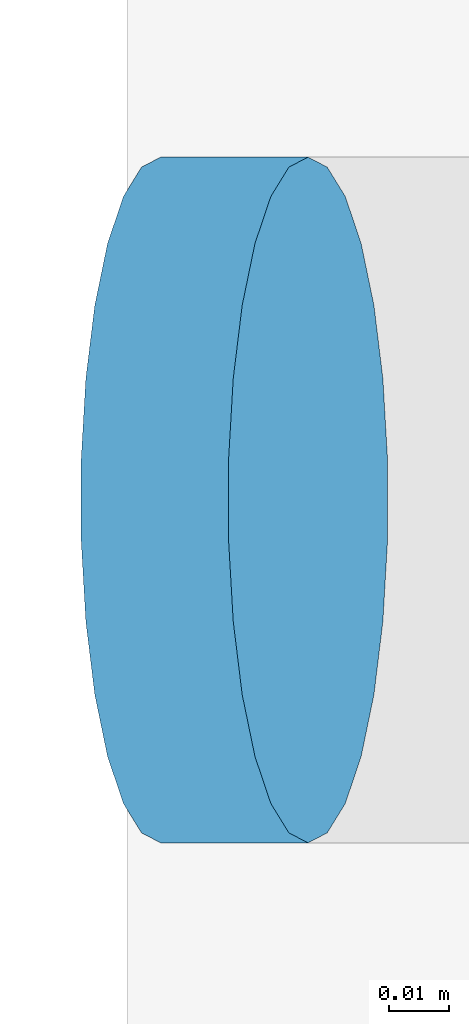
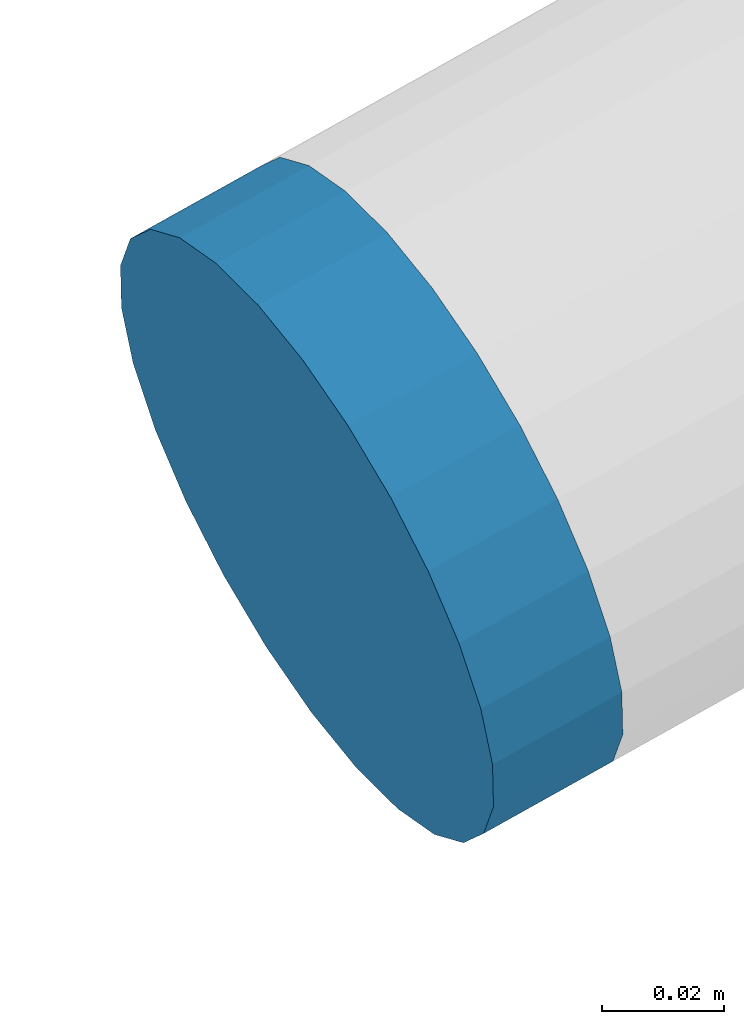
# One storey, part 62 of 71: 1 discrete accessory.
"""IFC4 building model written with IfcOpenShell, lengths in metres."""

from ifc_helpers import new_model, si_unit, derived_unit, direction, frame, origin, origin_2d, place, context, subcontext, project, spatial, circle, extrude, material, type_object, element, save


model = new_model("IFC4")

# Units and contexts
model_context = context("Model", 3, precision=1e-05, world=origin(), true_north=direction((0.0, 1.0)))
body_context = subcontext(model_context, "Body", "Model", "MODEL_VIEW")
ifc_project = project(units=[si_unit("LENGTHUNIT", "METRE"), si_unit("AREAUNIT", "SQUARE_METRE"), si_unit("VOLUMEUNIT", "CUBIC_METRE"), si_unit("PLANEANGLEUNIT", "RADIAN"), si_unit("MASSUNIT", "GRAM", prefix="KILO"), derived_unit("THERMALTRANSMITTANCEUNIT", [(si_unit("MASSUNIT", "GRAM", prefix="KILO"), 1), (si_unit("TIMEUNIT", "SECOND"), -3), (si_unit("THERMODYNAMICTEMPERATUREUNIT", "KELVIN"), -1)])], contexts=[model_context])

# Site, building, storey
site_placement = place(None, origin())
site = spatial("IfcSite", under=ifc_project, at=site_placement, CompositionType="ELEMENT")
building_placement = place(site_placement, origin())
building = spatial("IfcBuilding", under=site, at=building_placement, Name="Zhenchuan Archway Interchange", CompositionType="ELEMENT")
storey_placement = place(building_placement, frame((0.0, 0.0, 18.60009765625)))
storey = spatial("IfcBuildingStorey", under=building, at=storey_placement, Name="L04", CompositionType="ELEMENT", Elevation=18.60009765625)

# Discrete accessory
ifc_material = material(Name="Steel Q390", Category="steel")
discrete_accessory_type = type_object("IfcDiscreteAccessoryType", Name="CAP_MB_CBL_CHS114", PredefinedType="USERDEFINED", material=ifc_material)
discrete_accessory_placement = place(storey_placement, frame((27.025634765625, 64.0, -2.656005859375), z_axis=(0.972387301981, 0.0, 0.233372952475), x_axis=(0.0, 1.0, 0.0)))
element("IfcDiscreteAccessory", 1, at=discrete_accessory_placement, inside=storey, type_object=discrete_accessory_type, Name="End plate at the start of CONCOURSE ROOF CABLE west radial strand 5", ObjectType="END PLATE", PredefinedType="USERDEFINED", context=body_context, shape_type="SweptSolid", body=[
    extrude(circle(Radius=0.056884765625, at=origin_2d()), origin(), (0.0, 0.0, 1.0), 0.025146484375),
])

save(model, "model.ifc")
